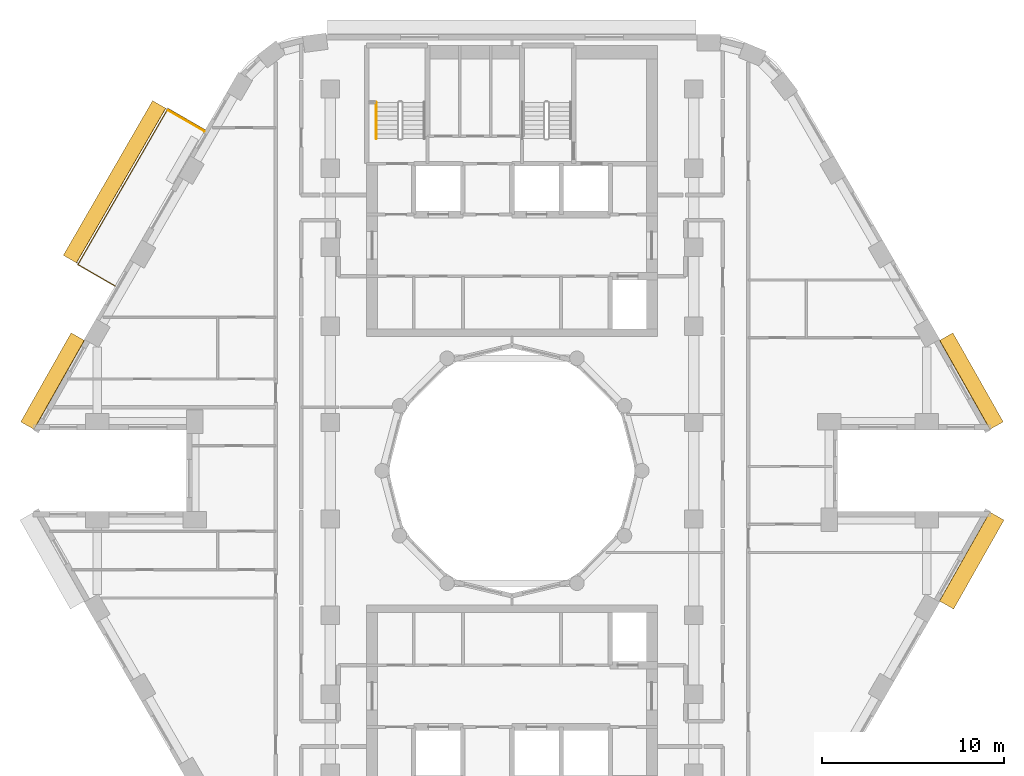
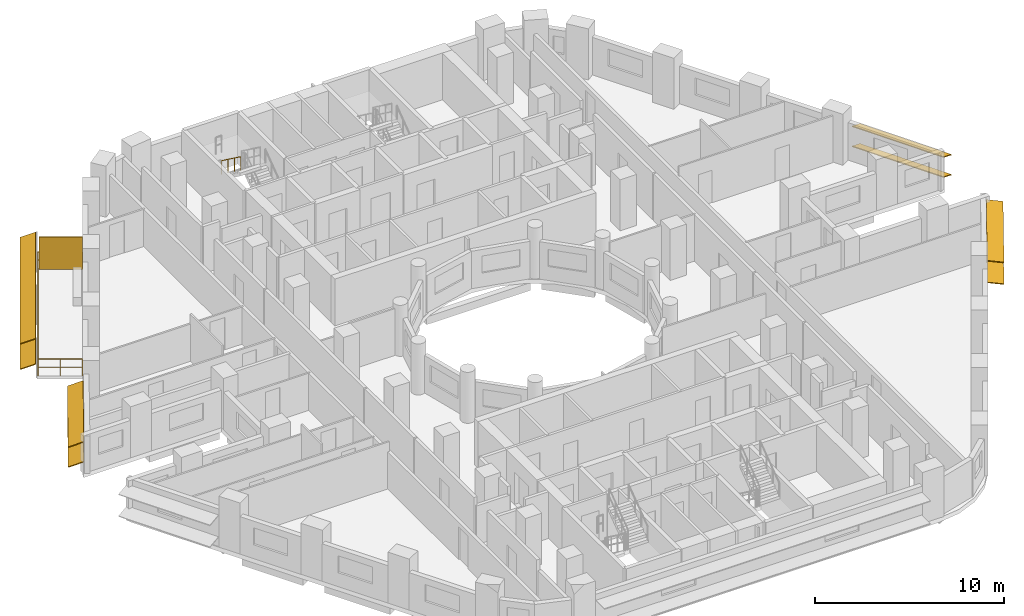
# One storey, part 12 of 13: 9 shading devices, 2 railings.
"""IFC4 building model written with IfcOpenShell, lengths in metres."""

from ifc_helpers import new_model, si_unit, direction, frame, origin, origin_2d, place, context, subcontext, project, spatial, rectangle, circle, extrude, material, layer, layer_set, material_profile, profile_set, type_object, element, save


model = new_model("IFC4")

# Units and contexts
model_context = context("Model", 3, precision=1e-05, world=origin(), true_north=direction((0.0, 1.0)))
body_context = subcontext(model_context, "Body", "Model", "MODEL_VIEW")
ifc_project = project(units=[si_unit("LENGTHUNIT", "METRE"), si_unit("AREAUNIT", "SQUARE_METRE"), si_unit("VOLUMEUNIT", "CUBIC_METRE"), si_unit("PLANEANGLEUNIT", "RADIAN"), si_unit("MASSUNIT", "GRAM", prefix="KILO")], contexts=[model_context])

# Site, building, storey
site_placement = place(None, origin())
site = spatial("IfcSite", under=ifc_project, at=site_placement, CompositionType="ELEMENT")
building_placement = place(site_placement, origin())
building = spatial("IfcBuilding", under=site, at=building_placement, Name="Nakaniwa Court", CompositionType="ELEMENT")
storey_placement = place(building_placement, frame((0.0, 0.0, 143.699951171875)))
storey = spatial("IfcBuildingStorey", under=building, at=storey_placement, Name="L37", CompositionType="ELEMENT", Elevation=143.699951171875)

# Railing
ifc_material_1 = material(Name="Black powder-coated steel flat bar balustrade S275", Category="steel")
railing_type_1 = type_object("IfcRailingType", Name="Black metal balcony guard 1100", PredefinedType="GUARDRAIL", material=ifc_material_1)
railing_1_placement = place(storey_placement, frame((63.10986328125, 98.745361328125, -0.050048828125)))
element("IfcRailing", 1, at=railing_1_placement, inside=storey, type_object=railing_type_1, Name="L37 balcony guard 01", PredefinedType="GUARDRAIL", context=body_context, shape_type="SweptSolid", body=[
    extrude(circle(Radius=0.02392578125, at=origin_2d()), frame((0.0, 0.0, 1.076171875), z_axis=(-0.866025363618, 0.50000006957, 0.0), x_axis=(-0.50000006957, -0.866025363618, 0.0)), (0.0, 0.0, 1.0), 2.35986328125),
    extrude(circle(Radius=0.02392578125, at=origin_2d()), frame((0.0, 0.0, 0.550048828125), z_axis=(-0.866025363618, 0.50000006957, 0.0), x_axis=(-0.50000006957, -0.866025363618, 0.0)), (0.0, 0.0, 1.0), 2.35986328125),
    extrude(circle(Radius=0.02392578125, at=origin_2d()), frame((-2.043701171875, 1.179931640625, 1.076171875), z_axis=(-0.500009036715, -0.866020186372, 0.0), x_axis=(0.866020186372, -0.500009036715, 0.0)), (0.0, 0.0, 1.0), 9.906005859375),
    extrude(circle(Radius=0.02392578125, at=origin_2d()), frame((-2.043701171875, 1.179931640625, 0.550048828125), z_axis=(-0.500009036715, -0.866020186372, 0.0), x_axis=(0.866020186372, -0.500009036715, 0.0)), (0.0, 0.0, 1.0), 9.906005859375),
    extrude(circle(Radius=0.02392578125, at=origin_2d()), frame((-6.996826171875, -7.39892578125, 1.076171875), z_axis=(0.866025363618, -0.50000006957, 0.0), x_axis=(0.50000006957, 0.866025363618, 0.0)), (0.0, 0.0, 1.0), 2.35986328125),
    extrude(circle(Radius=0.02392578125, at=origin_2d()), frame((-6.996826171875, -7.39892578125, 0.550048828125), z_axis=(0.866025363618, -0.50000006957, 0.0), x_axis=(0.50000006957, 0.866025363618, 0.0)), (0.0, 0.0, 1.0), 2.35986328125),
    extrude(circle(Radius=0.02099609375, at=origin_2d()), origin(), (0.0, 0.0, 1.0), 1.052001953125),
    extrude(circle(Radius=0.02099609375, at=origin_2d()), frame((-1.02197265625, 0.58984375, 0.0)), (0.0, 0.0, 1.0), 1.052001953125),
    extrude(circle(Radius=0.02099609375, at=origin_2d()), frame((-2.043701171875, 1.179931640625, 0.0)), (0.0, 0.0, 1.0), 1.052001953125),
    extrude(circle(Radius=0.02099609375, at=origin_2d()), frame((-2.593994140625, 0.226806640625, 0.0)), (0.0, 0.0, 1.0), 1.052001953125),
    extrude(circle(Radius=0.02099609375, at=origin_2d()), frame((-3.144287109375, -0.7265625, 0.0)), (0.0, 0.0, 1.0), 1.052001953125),
    extrude(circle(Radius=0.02099609375, at=origin_2d()), frame((-3.69482421875, -1.6796875, 0.0)), (0.0, 0.0, 1.0), 1.052001953125),
    extrude(circle(Radius=0.02099609375, at=origin_2d()), frame((-4.2451171875, -2.6328125, 0.0)), (0.0, 0.0, 1.0), 1.052001953125),
    extrude(circle(Radius=0.02099609375, at=origin_2d()), frame((-4.79541015625, -3.586181640625, 0.0)), (0.0, 0.0, 1.0), 1.052001953125),
    extrude(circle(Radius=0.02099609375, at=origin_2d()), frame((-5.345703125, -4.539306640625, 0.0)), (0.0, 0.0, 1.0), 1.052001953125),
    extrude(circle(Radius=0.02099609375, at=origin_2d()), frame((-5.896240234375, -5.492431640625, 0.0)), (0.0, 0.0, 1.0), 1.052001953125),
    extrude(circle(Radius=0.02099609375, at=origin_2d()), frame((-6.446533203125, -6.44580078125, 0.0)), (0.0, 0.0, 1.0), 1.052001953125),
    extrude(circle(Radius=0.02099609375, at=origin_2d()), frame((-6.996826171875, -7.39892578125, 0.0)), (0.0, 0.0, 1.0), 1.052001953125),
    extrude(circle(Radius=0.02099609375, at=origin_2d()), frame((-5.97509765625, -7.98876953125, 0.0)), (0.0, 0.0, 1.0), 1.052001953125),
    extrude(circle(Radius=0.02099609375, at=origin_2d()), frame((-4.953125, -8.578857421875, 0.0)), (0.0, 0.0, 1.0), 1.052001953125),
])

# Shading devices
ifc_material_2 = material(Name="Black powder-coated aluminium slat screen", Category="aluminium")
ifc_layer = layer(ifc_material_2, 0.0400390625)
ifc_layer_set = layer_set([ifc_layer], Name="Black powder-coated aluminium slat screen")
shading_device_type_1 = type_object("IfcShadingDeviceType", Name="Koshi screen black metal", PredefinedType="USERDEFINED", material=ifc_layer_set)
shading_device_placement = place(storey_placement, frame((62.069580078125, 99.253662109375, -0.050048828125), z_axis=(0.0, 0.0, 1.0), x_axis=(-0.500004534492, -0.866022785779, 0.0)))
element("IfcShadingDevice", 2, at=shading_device_placement, inside=storey, type_object=shading_device_type_1, Name="L37 balcony SCREEN 01 W", ObjectType="KOSHI SCREEN", PredefinedType="USERDEFINED", context=body_context, shape_type="SweptSolid", body=[
    extrude(rectangle(XDim=0.0400390625, YDim=2.31005859375, at=origin_2d()), origin(), (0.0, 0.0, 1.0), 2.10009765625),
])
ifc_material_3 = material(Name="Perforated charcoal ceramic louvre blade")
ifc_material_profile = material_profile(ifc_material_3, rectangle(XDim=0.89990234375, YDim=0.050048828125, at=origin_2d()), Name="Perforated ceramic louvre blade")
ifc_profile_set = profile_set([ifc_material_profile], Name="Perforated charcoal ceramic louvre blade")
shading_device_type_2 = type_object("IfcShadingDeviceType", Name="Perforated ceramic louvre blade", PredefinedType="JALOUSIE", material=ifc_profile_set)
for number, where, z_axis, x_axis, name in (
    (3, (60.591064453125, 100.1533203125, 0.5), (-0.500008504283, -0.866020493778, 0.0), (0.800098608937, -0.461947623189, 0.382683432365), "L37 perforated ceramic louvre blade 01 1"),
    (4, (60.591064453125, 100.1533203125, 2.150146484375), (-0.500008504283, -0.866020493778, 0.0), (0.800098608937, -0.461947623189, 0.382683432365), "L37 perforated ceramic louvre blade 01 2"),
):
    element("IfcShadingDevice", number, at=place(storey_placement, frame(where, z_axis=z_axis, x_axis=x_axis)), inside=storey, type_object=shading_device_type_2, Name=name, PredefinedType="JALOUSIE", context=body_context, shape_type="SweptSolid", body=[
        extrude(rectangle(XDim=0.89990234375, YDim=0.050048828125, at=origin_2d()), origin(), (0.0, 0.0, 1.0), 9.825927734375),
    ])
for number, where, z_axis, x_axis, name in (
    (5, (106.662353515625, 82.48046875, 0.550048828125), (-0.49253187421, 0.870294405869, 0.0), (-0.804627241022, -0.455368390728, 0.38107037635), "L37 perforated ceramic louvre blade w02 1"),
    (6, (106.662353515625, 82.48046875, 1.845458984375), (-0.49253187421, 0.870294405869, 0.0), (-0.804627241022, -0.455368390728, 0.38107037635), "L37 perforated ceramic louvre blade w02 2"),
    (7, (56.10888671875, 87.377197265625, 0.550048828125), (-0.49253187421, -0.870294405869, 0.0), (0.804627241022, -0.455368390728, 0.38107037635), "L37 perforated ceramic louvre blade w14 1"),
    (8, (56.10888671875, 87.377197265625, 1.845458984375), (-0.49253187421, -0.870294405869, 0.0), (0.804627241022, -0.455368390728, 0.38107037635), "L37 perforated ceramic louvre blade w14 2"),
    (9, (103.911865234375, 72.611083984375, 0.550048828125), (0.49253187421, 0.870294405869, 0.0), (-0.862649339692, 0.488205247786, 0.132256390257), "L37 perforated ceramic louvre blade w32 1"),
    (10, (103.911865234375, 72.611083984375, 1.955810546875), (0.49253187421, 0.870294405869, 0.0), (-0.862649339692, 0.488205247786, 0.132256390257), "L37 perforated ceramic louvre blade w32 2"),
):
    element("IfcShadingDevice", number, at=place(storey_placement, frame(where, z_axis=z_axis, x_axis=x_axis)), inside=storey, type_object=shading_device_type_2, Name=name, PredefinedType="JALOUSIE", context=body_context, shape_type="SweptSolid", body=[
        extrude(rectangle(XDim=0.89990234375, YDim=0.050048828125, at=origin_2d()), origin(), (0.0, 0.0, 1.0), 5.62646484375),
    ])

# Railing
ifc_material_4 = material(Name="Black powder coated steel handrail", Category="steel")
railing_type_2 = type_object("IfcRailingType", Name="Stair handrail 900", PredefinedType="HANDRAIL", material=ifc_material_4)
railing_2_placement = place(storey_placement, frame((72.52490234375, 100.27490234375, 1.83349609375)))
element("IfcRailing", 11, at=railing_2_placement, inside=storey, type_object=railing_type_2, Name="L37 ST1 stair handrail 2", PredefinedType="HANDRAIL", context=body_context, shape_type="SweptSolid", body=[
    extrude(circle(Radius=0.02392578125, at=origin_2d()), frame((0.0, 0.0, 0.8759765625), z_axis=(0.0, -0.806426902644, 0.591333789573), x_axis=(1.0, 0.0, 0.0)), (0.0, 0.0, 1.0), 2.47998046875),
    extrude(circle(Radius=0.02099609375, at=origin_2d()), origin(), (0.0, 0.0, 1.0), 0.851806640625),
    extrude(circle(Radius=0.02099609375, at=origin_2d()), frame((0.0, -0.666748046875, 0.48876953125)), (0.0, 0.0, 1.0), 0.851806640625),
    extrude(circle(Radius=0.02099609375, at=origin_2d()), frame((0.0, -1.333251953125, 0.977783203125)), (0.0, 0.0, 1.0), 0.851806640625),
    extrude(circle(Radius=0.02099609375, at=origin_2d()), frame((0.0, -2.0, 1.466552734375)), (0.0, 0.0, 1.0), 0.851806640625),
])

save(model, "model.ifc")
